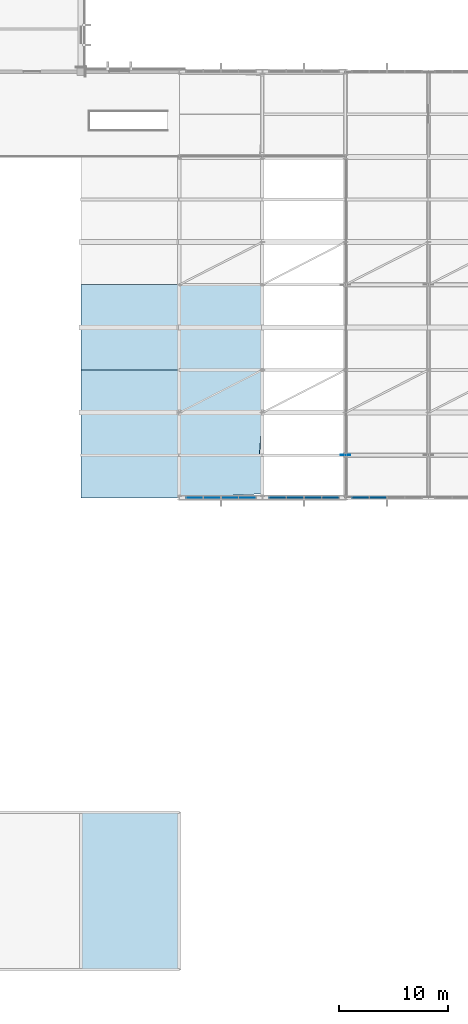
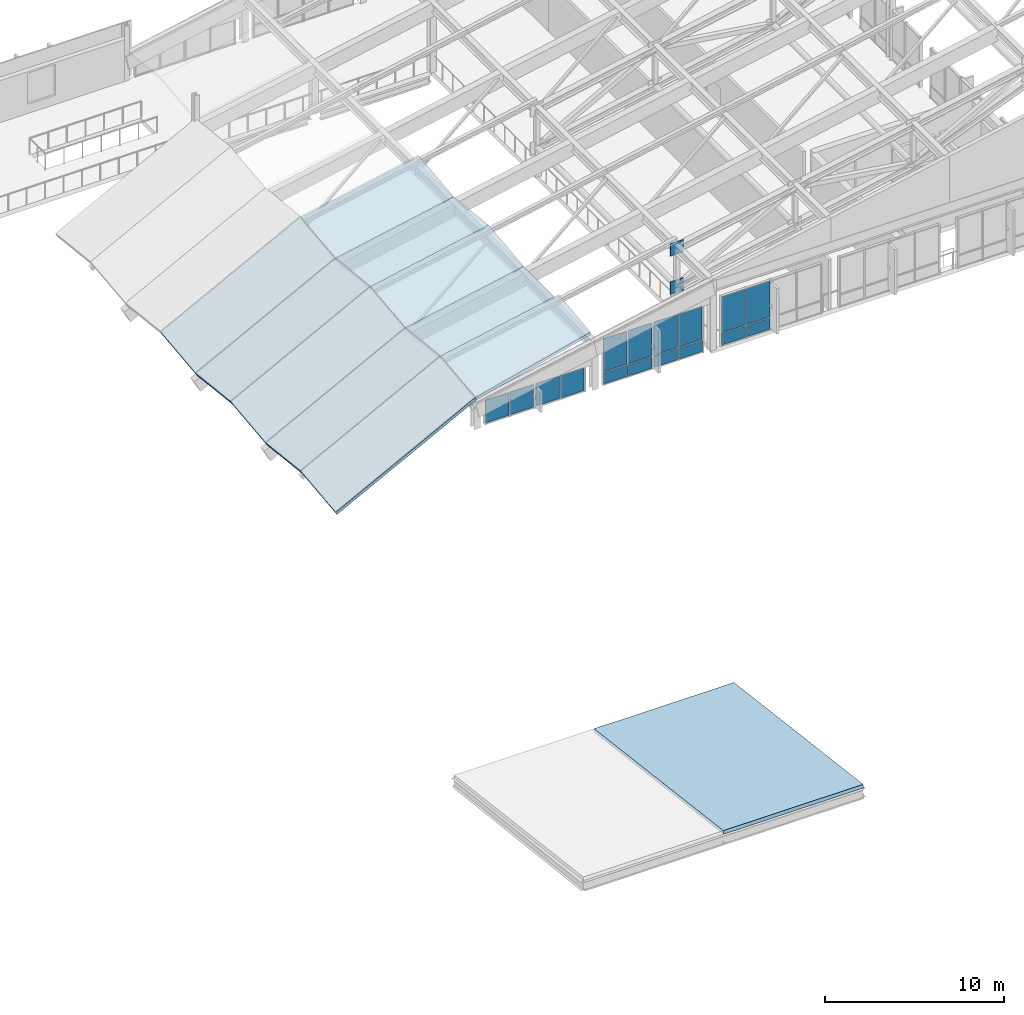
# One storey, part 37 of 73: 18 plates, 11 slabs, 5 elements without a shape of their own.
"""IFC4 building model written with IfcOpenShell, lengths in metres."""

from ifc_helpers import new_model, si_unit, direction, frame, origin, origin_2d, place, context, subcontext, project, spatial, polyline, rectangle, outline, extrude, material, layer, layer_set, type_object, element, aggregate, save


model = new_model("IFC4")

# Units and contexts
model_context = context("Model", 3, precision=1e-05, world=origin(), true_north=direction((0.0, 1.0)))
body_context = subcontext(model_context, "Body", "Model", "MODEL_VIEW")
ifc_project = project(units=[si_unit("LENGTHUNIT", "METRE"), si_unit("AREAUNIT", "SQUARE_METRE"), si_unit("VOLUMEUNIT", "CUBIC_METRE"), si_unit("PLANEANGLEUNIT", "RADIAN"), si_unit("MASSUNIT", "GRAM", prefix="KILO")], contexts=[model_context])

# Site, building, storey
site_placement = place(None, origin())
site = spatial("IfcSite", under=ifc_project, at=site_placement, CompositionType="ELEMENT")
building_placement = place(site_placement, origin())
building = spatial("IfcBuilding", under=site, at=building_placement, Name="Vervanel Yard Central Library", CompositionType="ELEMENT")
storey_placement = place(building_placement, frame((0.0, 0.0, 12.780029296875)))
storey = spatial("IfcBuildingStorey", under=building, at=storey_placement, Name="L03", CompositionType="ELEMENT", Elevation=12.780029296875)

# Slabs
ifc_material_1 = material(Name="Concrete C40/50", Category="concrete")
ifc_layer_1 = layer(ifc_material_1, 0.22998046875, Category="concrete")
ifc_layer_set_1 = layer_set([ifc_layer_1], Name="Concrete C40/50")
slab_type_1 = type_object("IfcSlabType", Name="Core Overrun Roof Slab 230", PredefinedType="ROOF", material=ifc_layer_set_1)
slab_1_placement = place(storey_placement, frame((99.0, 0.0, 1.89990234375), z_axis=(0.0, 0.124038875731, 0.992277359062), x_axis=(1.0, 0.0, 0.0)))
element("IfcSlab", 1, at=slab_1_placement, inside=storey, type_object=slab_type_1, Name="L03 V5 Core Overrun Roof Slab 230 V5-CORE-SLOPE-2", PredefinedType="ROOF", context=body_context, shape_type="SweptSolid", body=[
    extrude(outline(polyline([(0.0, 0.0), (9.0, 0.0), (9.0, 14.511973101310893), (0.0, 14.511973101310893), (0.0, 0.0)])), origin(), (0.0, 0.0, -1.0), 0.22998046875),
])
ifc_material_2 = material(Name="Concrete C45/55", Category="concrete")
ifc_layer_2 = layer(ifc_material_2, 0.219970703125, Category="concrete")
ifc_layer_set_2 = layer_set([ifc_layer_2], Name="Concrete C45/55")
slab_type_2 = type_object("IfcSlabType", Name="Folded Shell Roof Typical Plate 220", PredefinedType="ROOF", material=ifc_layer_set_2)
slab_2_placement = place(storey_placement, frame((99.0, 43.199951171875, -2.655029296875), z_axis=(-0.458701274363, -0.099056605972, 0.883052053795), x_axis=(0.887416545796, 0.0, 0.460968409165)))
element("IfcSlab", 2, at=slab_2_placement, inside=storey, type_object=slab_type_2, Name="L03 V3 Folded Shell Roof Typical Plate 220 V3-FLK-B2-S01", PredefinedType="ROOF", context=body_context, shape_type="SweptSolid", body=[
    extrude(outline(polyline([(0.0, 0.0), (10.14179873323036, -5.551115123125783e-17), (10.343472412239883, 3.9194229902853603), (0.2016736790095231, 3.919422990285361), (0.0, 0.0)])), origin(), (0.0, 0.0, -1.0), 0.219970703125),
])
slab_3_placement = place(storey_placement, frame((99.0, 47.10009765625, -2.217529296875), z_axis=(-0.458700992592, 0.099062746234, 0.883051511354), x_axis=(0.887416545796, 0.0, 0.460968409165)))
element("IfcSlab", 3, at=slab_3_placement, inside=storey, type_object=slab_type_2, Name="L03 V3 Folded Shell Roof Typical Plate 220 V3-FLK-B2-S02", PredefinedType="ROOF", context=body_context, shape_type="SweptSolid", body=[
    extrude(outline(polyline([(0.0, 0.0), (10.14179873323036, 0.0), (9.940125054220838, 3.919180050467382), (-0.2016736790095231, 3.9191800504673817), (0.0, 0.0)])), origin(), (0.0, 0.0, -1.0), 0.219970703125),
])
slab_4_placement = place(storey_placement, frame((99.0, 51.0, -2.655029296875), z_axis=(-0.458700992592, -0.099062746234, 0.883051511354), x_axis=(0.887416545796, 0.0, 0.460968409165)))
element("IfcSlab", 4, at=slab_4_placement, inside=storey, type_object=slab_type_2, Name="L03 V3 Folded Shell Roof Typical Plate 220 V3-FLK-B2-S03", PredefinedType="ROOF", context=body_context, shape_type="SweptSolid", body=[
    extrude(outline(polyline([(0.0, 0.0), (10.14179873323036, 0.0), (10.343472412239883, 3.9191800504673817), (0.2016736790095231, 3.9191800504673817), (0.0, 0.0)])), origin(), (0.0, 0.0, -1.0), 0.219970703125),
])
slab_5_placement = place(storey_placement, frame((99.0, 54.89990234375, -2.217529296875), z_axis=(-0.458701274363, 0.099056605972, 0.883052053795), x_axis=(0.887416545796, 0.0, 0.460968409165)))
element("IfcSlab", 5, at=slab_5_placement, inside=storey, type_object=slab_type_2, Name="L03 V3 Folded Shell Roof Typical Plate 220 V3-FLK-B2-S04", PredefinedType="ROOF", context=body_context, shape_type="SweptSolid", body=[
    extrude(outline(polyline([(0.0, 0.0), (10.14179873323036, 5.551115123125783e-17), (9.940125054220838, 3.919422990285361), (-0.2016736790095231, 3.919422990285361), (0.0, 0.0)])), origin(), (0.0, 0.0, -1.0), 0.219970703125),
])
slab_6_placement = place(storey_placement, frame((99.0, 58.800048828125, -2.655029296875), z_axis=(-0.458700992592, -0.099062746234, 0.883051511354), x_axis=(0.887416545796, 0.0, 0.460968409165)))
element("IfcSlab", 6, at=slab_6_placement, inside=storey, type_object=slab_type_2, Name="L03 V3 Folded Shell Roof Typical Plate 220 V3-FLK-B2-S05", PredefinedType="ROOF", context=body_context, shape_type="SweptSolid", body=[
    extrude(outline(polyline([(0.0, 0.0), (10.14179873323036, 0.0), (10.343472412239883, 3.9191800504673817), (0.2016736790095231, 3.9191800504673817), (0.0, 0.0)])), origin(), (0.0, 0.0, -1.0), 0.219970703125),
])
slab_7_placement = place(storey_placement, frame((108.0, 43.199951171875, 2.02001953125), z_axis=(-0.194557660701, -0.109328806422, 0.974779220515), x_axis=(0.978591853809, 0.046368457755, 0.200519200539)))
element("IfcSlab", 7, at=slab_7_placement, inside=storey, type_object=slab_type_2, Name="L03 V3 Folded Shell Roof Typical Plate 220 V3-FS-B1-S01", PredefinedType="ROOF", context=body_context, shape_type="SweptSolid", body=[
    extrude(outline(polyline([(0.0, 0.0), (7.766374478635192, -8.326672684688674e-17), (8.010121270023408, 3.5538783534275824), (0.2685709277354629, 3.915407833392981), (0.0, 0.0)])), origin(), (0.0, 0.0, -1.0), 0.219970703125),
])
slab_8_placement = place(storey_placement, frame((108.0, 47.10009765625, 2.45751953125), z_axis=(-0.194578103947, 0.109350925129, 0.974772658951), x_axis=(0.98065343639, 7.4846e-08, 0.19575198006)))
element("IfcSlab", 8, at=slab_8_placement, inside=storey, type_object=slab_type_2, Name="L03 V3 Folded Shell Roof Typical Plate 220 V3-FS-B1-S02", PredefinedType="ROOF", context=body_context, shape_type="SweptSolid", body=[
    extrude(outline(polyline([(0.0, 0.0), (7.464479390606988, 0.0), (7.664394024955068, 3.923429766962156), (-0.085641199385448, 3.923430912572371), (0.0, 0.0)])), origin(), (0.0, 0.0, -1.0), 0.219970703125),
])
slab_9_placement = place(storey_placement, frame((108.0, 51.0, 2.02001953125), z_axis=(-0.194564308154, -0.109322391728, 0.974778613153), x_axis=(0.980656292345, 1.678501e-06, 0.195737672103)))
element("IfcSlab", 9, at=slab_9_placement, inside=storey, type_object=slab_type_2, Name="L03 V3 Folded Shell Roof Typical Plate 220 V3-FS-B1-S03", PredefinedType="ROOF", context=body_context, shape_type="SweptSolid", body=[
    extrude(outline(polyline([(0.0, 0.0), (7.750035223428805, 2.7755575615628914e-17), (7.8356292134446965, 3.923404724478306), (0.08564177753349511, 3.9234308981513446), (0.0, 0.0)])), origin(), (0.0, 0.0, -1.0), 0.219970703125),
])
slab_10_placement = place(storey_placement, frame((108.0, 54.89990234375, 2.45751953125), z_axis=(-0.194564453709, 0.109315630166, 0.974779342392), x_axis=(0.980656364609, 1.678408e-06, 0.195737310058)))
element("IfcSlab", 10, at=slab_10_placement, inside=storey, type_object=slab_type_2, Name="L03 V3 Folded Shell Roof Typical Plate 220 V3-FS-B1-S04", PredefinedType="ROOF", context=body_context, shape_type="SweptSolid", body=[
    extrude(outline(polyline([(0.0, 0.0), (7.749987435955397, 0.0), (7.664406696272762, 3.923647691750218), (-0.08562852711184862, 3.9236738639658015), (0.0, 0.0)])), origin(), (0.0, 0.0, -1.0), 0.219970703125),
])
slab_11_placement = place(storey_placement, frame((108.0, 58.800048828125, 2.02001953125), z_axis=(-0.194564308154, -0.109322391728, 0.974778613153), x_axis=(0.980656292345, 1.678501e-06, 0.195737672103)))
element("IfcSlab", 11, at=slab_11_placement, inside=storey, type_object=slab_type_2, Name="L03 V3 Folded Shell Roof Typical Plate 220 V3-FS-B1-S05", PredefinedType="ROOF", context=body_context, shape_type="SweptSolid", body=[
    extrude(outline(polyline([(0.0, 0.0), (7.750035223428805, 2.7755575615628914e-17), (7.8356292134446965, 3.923404724478306), (0.08564177753349511, 3.9234308981513446), (0.0, 0.0)])), origin(), (0.0, 0.0, -1.0), 0.219970703125),
])

# Plates
ifc_material_3 = material(Name="Steel ASTM A572 Grade 50", Category="steel")
ifc_layer_3 = layer(ifc_material_3, 0.031982421875, Category="steel")
ifc_layer_set_3 = layer_set([ifc_layer_3], Name="Steel ASTM A572 Grade 50")
plate_type_1 = type_object("IfcPlateType", Name="Prow Truss Node Cap Plate 32", PredefinedType="SHEET", material=ifc_layer_set_3)
for number, where, z_axis, x_axis, name in (
    (12, (123.199951171875, 47.10009765625, 4.089111328125), (0.0, 0.0, 1.0), (1.0, 0.0, 0.0), "Prow Truss S Node 1 TOP Gusset Plate"),
    (13, (123.199951171875, 47.10009765625, 1.489013671875), (0.0, 0.0, 1.0), (1.0, 0.0, 0.0), "Prow Truss S Node 1 BOT Gusset Plate"),
):
    element("IfcPlate", number, at=place(storey_placement, frame(where, z_axis=z_axis, x_axis=x_axis)), inside=storey, type_object=plate_type_1, Name=name, PredefinedType="SHEET", context=body_context, shape_type="SweptSolid", body=[
        extrude(rectangle(XDim=0.85009765625, YDim=0.031982421875, at=origin_2d()), origin(), (0.0, 0.0, 1.0), 0.85009765625),
    ])

# Curtain wall, plates
ifc_material_4 = material(Name="Thermally broken anodized aluminium 6063-T6", Category="aluminium")
curtain_wall_type = type_object("IfcCurtainWallType", Name="Prow Cantilever Glazed Curtain Wall", PredefinedType="NOTDEFINED", material=ifc_material_4)
curtain_wall_1_placement = place(storey_placement, origin())
curtain_wall_1 = element("IfcCurtainWall", 14, at=curtain_wall_1_placement, inside=storey, type_object=curtain_wall_type, Name="L03 Prow Cantilever Glazed Curtain Wall CWR-L03-076", PredefinedType="NOTDEFINED")
ifc_material_5 = material(Name="Double low-E laminated solar-control glass", Category="glass")
ifc_layer_4 = layer(ifc_material_5, 0.0380859375, Category="glass")
ifc_layer_set_4 = layer_set([ifc_layer_4], Name="Double low-E laminated solar-control glass")
plate_type_2 = type_object("IfcPlateType", Name="Reading Hall Acoustic Vision Panel 38", PredefinedType="CURTAIN_PANEL", material=ifc_layer_set_4)
plate_1_placement = place(storey_placement, frame((109.387451171875, 43.199951171875, 0.070068359375), z_axis=(0.0, 0.0, 1.0), x_axis=(1.0, 0.0, 0.0)))
plate_1 = element("IfcPlate", 15, at=plate_1_placement, type_object=plate_type_2, Name="CWR-L03-076 Panel B1-1", PredefinedType="CURTAIN_PANEL", context=body_context, shape_type="SweptSolid", body=[
    extrude(rectangle(XDim=1.514892578125, YDim=0.0380859375, at=origin_2d()), origin(), (0.0, 0.0, 1.0), 1.5400390625),
])
plate_2_placement = place(storey_placement, frame((110.972412109375, 43.199951171875, 0.070068359375), z_axis=(0.0, 0.0, 1.0), x_axis=(1.0, 0.0, 0.0)))
plate_2 = element("IfcPlate", 16, at=plate_2_placement, type_object=plate_type_2, Name="CWR-L03-076 Panel B2-1", PredefinedType="CURTAIN_PANEL", context=body_context, shape_type="SweptSolid", body=[
    extrude(rectangle(XDim=1.514892578125, YDim=0.0380859375, at=origin_2d()), origin(), (0.0, 0.0, 1.0), 1.5400390625),
])
aggregate(curtain_wall_1, [plate_1, plate_2])

curtain_wall_2_placement = place(storey_placement, origin())
curtain_wall_2 = element("IfcCurtainWall", 17, at=curtain_wall_2_placement, inside=storey, type_object=curtain_wall_type, Name="L03 Prow Cantilever Glazed Curtain Wall CWR-L03-077", PredefinedType="NOTDEFINED")
plate_3_placement = place(storey_placement, frame((112.62744140625, 43.199951171875, 0.070068359375), z_axis=(0.0, 0.0, 1.0), x_axis=(1.0, 0.0, 0.0)))
plate_3 = element("IfcPlate", 18, at=plate_3_placement, type_object=plate_type_2, Name="CWR-L03-077 Panel B1-1", PredefinedType="CURTAIN_PANEL", context=body_context, shape_type="SweptSolid", body=[
    extrude(rectangle(XDim=1.514892578125, YDim=0.0380859375, at=origin_2d()), origin(), (0.0, 0.0, 1.0), 1.5400390625),
])
plate_4_placement = place(storey_placement, frame((114.21240234375, 43.199951171875, 0.070068359375), z_axis=(0.0, 0.0, 1.0), x_axis=(1.0, 0.0, 0.0)))
plate_4 = element("IfcPlate", 19, at=plate_4_placement, type_object=plate_type_2, Name="CWR-L03-077 Panel B2-1", PredefinedType="CURTAIN_PANEL", context=body_context, shape_type="SweptSolid", body=[
    extrude(rectangle(XDim=1.514892578125, YDim=0.0380859375, at=origin_2d()), origin(), (0.0, 0.0, 1.0), 1.5400390625),
])
aggregate(curtain_wall_2, [plate_3, plate_4])

curtain_wall_3_placement = place(storey_placement, origin())
curtain_wall_3 = element("IfcCurtainWall", 20, at=curtain_wall_3_placement, inside=storey, type_object=curtain_wall_type, Name="L03 Prow Cantilever Glazed Curtain Wall CWR-L03-078", PredefinedType="NOTDEFINED")
plate_5_placement = place(storey_placement, frame((116.987548828125, 43.199951171875, 0.885009765625), z_axis=(0.0, 0.0, 1.0), x_axis=(1.0, 0.0, 0.0)))
plate_5 = element("IfcPlate", 21, at=plate_5_placement, type_object=plate_type_2, Name="CWR-L03-078 Panel B1-2", PredefinedType="CURTAIN_PANEL", context=body_context, shape_type="SweptSolid", body=[
    extrude(rectangle(XDim=1.514892578125, YDim=0.0380859375, at=origin_2d()), origin(), (0.0, 0.0, 1.0), 2.2421875),
])
plate_6_placement = place(storey_placement, frame((118.572509765625, 43.199951171875, 0.885009765625), z_axis=(0.0, 0.0, 1.0), x_axis=(1.0, 0.0, 0.0)))
plate_6 = element("IfcPlate", 22, at=plate_6_placement, type_object=plate_type_2, Name="CWR-L03-078 Panel B2-2", PredefinedType="CURTAIN_PANEL", context=body_context, shape_type="SweptSolid", body=[
    extrude(rectangle(XDim=1.514892578125, YDim=0.0380859375, at=origin_2d()), origin(), (0.0, 0.0, 1.0), 2.2421875),
])

curtain_wall_4_placement = place(storey_placement, origin())
curtain_wall_4 = element("IfcCurtainWall", 23, at=curtain_wall_4_placement, inside=storey, type_object=curtain_wall_type, Name="L03 Prow Cantilever Glazed Curtain Wall CWR-L03-079", PredefinedType="NOTDEFINED")
plate_7_placement = place(storey_placement, frame((120.2275390625, 43.199951171875, 0.885009765625), z_axis=(0.0, 0.0, 1.0), x_axis=(1.0, 0.0, 0.0)))
plate_7 = element("IfcPlate", 24, at=plate_7_placement, type_object=plate_type_2, Name="CWR-L03-079 Panel B1-2", PredefinedType="CURTAIN_PANEL", context=body_context, shape_type="SweptSolid", body=[
    extrude(rectangle(XDim=1.514892578125, YDim=0.0380859375, at=origin_2d()), origin(), (0.0, 0.0, 1.0), 2.2421875),
])
plate_8_placement = place(storey_placement, frame((121.8125, 43.199951171875, 0.885009765625), z_axis=(0.0, 0.0, 1.0), x_axis=(1.0, 0.0, 0.0)))
plate_8 = element("IfcPlate", 25, at=plate_8_placement, type_object=plate_type_2, Name="CWR-L03-079 Panel B2-2", PredefinedType="CURTAIN_PANEL", context=body_context, shape_type="SweptSolid", body=[
    extrude(rectangle(XDim=1.514892578125, YDim=0.0380859375, at=origin_2d()), origin(), (0.0, 0.0, 1.0), 2.2421875),
])

curtain_wall_5_placement = place(storey_placement, origin())
curtain_wall_5 = element("IfcCurtainWall", 26, at=curtain_wall_5_placement, inside=storey, type_object=curtain_wall_type, Name="L03 Prow Cantilever Glazed Curtain Wall CWR-L03-080", PredefinedType="NOTDEFINED")
plate_9_placement = place(storey_placement, frame((124.58740234375, 43.199951171875, 0.884765625), z_axis=(0.0, 0.0, 1.0), x_axis=(1.0, 0.0, 0.0)))
plate_9 = element("IfcPlate", 27, at=plate_9_placement, type_object=plate_type_2, Name="CWR-L03-080 Panel B1-2", PredefinedType="CURTAIN_PANEL", context=body_context, shape_type="SweptSolid", body=[
    extrude(rectangle(XDim=1.514892578125, YDim=0.0380859375, at=origin_2d()), origin(), (0.0, 0.0, 1.0), 2.445068359375),
])
plate_10_placement = place(storey_placement, frame((126.172607421875, 43.199951171875, 0.884765625), z_axis=(0.0, 0.0, 1.0), x_axis=(1.0, 0.0, 0.0)))
plate_10 = element("IfcPlate", 28, at=plate_10_placement, type_object=plate_type_2, Name="CWR-L03-080 Panel B2-2", PredefinedType="CURTAIN_PANEL", context=body_context, shape_type="SweptSolid", body=[
    extrude(rectangle(XDim=1.514892578125, YDim=0.0380859375, at=origin_2d()), origin(), (0.0, 0.0, 1.0), 2.445068359375),
])

# Plate
ifc_material_6 = material(Name="Insulated bronze aluminium spandrel panel", Category="aluminium")
ifc_layer_5 = layer(ifc_material_6, 0.094970703125, Category="aluminium")
ifc_layer_set_5 = layer_set([ifc_layer_5], Name="Insulated bronze aluminium spandrel panel")
plate_type_3 = type_object("IfcPlateType", Name="Reading Hall Shadow-Box Spandrel 95", PredefinedType="CURTAIN_PANEL", material=ifc_layer_set_5)
plate_11_placement = place(storey_placement, frame((116.987548828125, 43.199951171875, 0.06982421875), z_axis=(0.0, 0.0, 1.0), x_axis=(1.0, 0.0, 0.0)))
plate_11 = element("IfcPlate", 29, at=plate_11_placement, type_object=plate_type_3, Name="CWR-L03-078 Panel B1-1", PredefinedType="CURTAIN_PANEL", context=body_context, shape_type="SweptSolid", body=[
    extrude(rectangle(XDim=1.514892578125, YDim=0.094970703125, at=origin_2d()), origin(), (0.0, 0.0, 1.0), 0.7451171875),
])

plate_12_placement = place(storey_placement, frame((118.572509765625, 43.199951171875, 0.06982421875), z_axis=(0.0, 0.0, 1.0), x_axis=(1.0, 0.0, 0.0)))
plate_12 = element("IfcPlate", 30, at=plate_12_placement, type_object=plate_type_3, Name="CWR-L03-078 Panel B2-1", PredefinedType="CURTAIN_PANEL", context=body_context, shape_type="SweptSolid", body=[
    extrude(rectangle(XDim=1.514892578125, YDim=0.094970703125, at=origin_2d()), origin(), (0.0, 0.0, 1.0), 0.7451171875),
])

aggregate(curtain_wall_3, [plate_11, plate_5, plate_12, plate_6])

plate_13_placement = place(storey_placement, frame((120.2275390625, 43.199951171875, 0.06982421875), z_axis=(0.0, 0.0, 1.0), x_axis=(1.0, 0.0, 0.0)))
plate_13 = element("IfcPlate", 31, at=plate_13_placement, type_object=plate_type_3, Name="CWR-L03-079 Panel B1-1", PredefinedType="CURTAIN_PANEL", context=body_context, shape_type="SweptSolid", body=[
    extrude(rectangle(XDim=1.514892578125, YDim=0.094970703125, at=origin_2d()), origin(), (0.0, 0.0, 1.0), 0.7451171875),
])

plate_14_placement = place(storey_placement, frame((121.8125, 43.199951171875, 0.06982421875), z_axis=(0.0, 0.0, 1.0), x_axis=(1.0, 0.0, 0.0)))
plate_14 = element("IfcPlate", 32, at=plate_14_placement, type_object=plate_type_3, Name="CWR-L03-079 Panel B2-1", PredefinedType="CURTAIN_PANEL", context=body_context, shape_type="SweptSolid", body=[
    extrude(rectangle(XDim=1.514892578125, YDim=0.094970703125, at=origin_2d()), origin(), (0.0, 0.0, 1.0), 0.7451171875),
])

aggregate(curtain_wall_4, [plate_13, plate_7, plate_14, plate_8])

plate_15_placement = place(storey_placement, frame((124.58740234375, 43.199951171875, 0.06982421875), z_axis=(0.0, 0.0, 1.0), x_axis=(1.0, 0.0, 0.0)))
plate_15 = element("IfcPlate", 33, at=plate_15_placement, type_object=plate_type_3, Name="CWR-L03-080 Panel B1-1", PredefinedType="CURTAIN_PANEL", context=body_context, shape_type="SweptSolid", body=[
    extrude(rectangle(XDim=1.514892578125, YDim=0.094970703125, at=origin_2d()), origin(), (0.0, 0.0, 1.0), 0.7451171875),
])

plate_16_placement = place(storey_placement, frame((126.172607421875, 43.199951171875, 0.06982421875), z_axis=(0.0, 0.0, 1.0), x_axis=(1.0, 0.0, 0.0)))
plate_16 = element("IfcPlate", 34, at=plate_16_placement, type_object=plate_type_3, Name="CWR-L03-080 Panel B2-1", PredefinedType="CURTAIN_PANEL", context=body_context, shape_type="SweptSolid", body=[
    extrude(rectangle(XDim=1.514892578125, YDim=0.094970703125, at=origin_2d()), origin(), (0.0, 0.0, 1.0), 0.7451171875),
])

aggregate(curtain_wall_5, [plate_15, plate_9, plate_16, plate_10])

save(model, "model.ifc")
